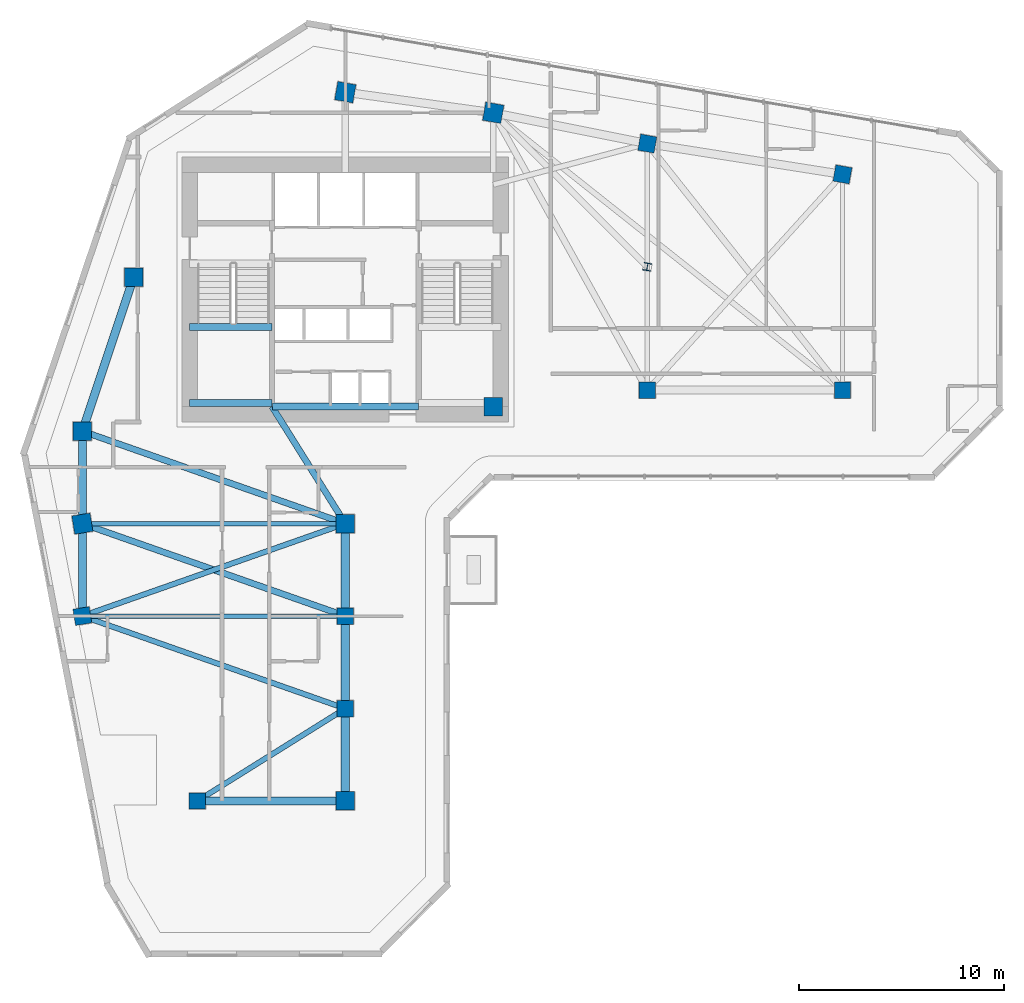
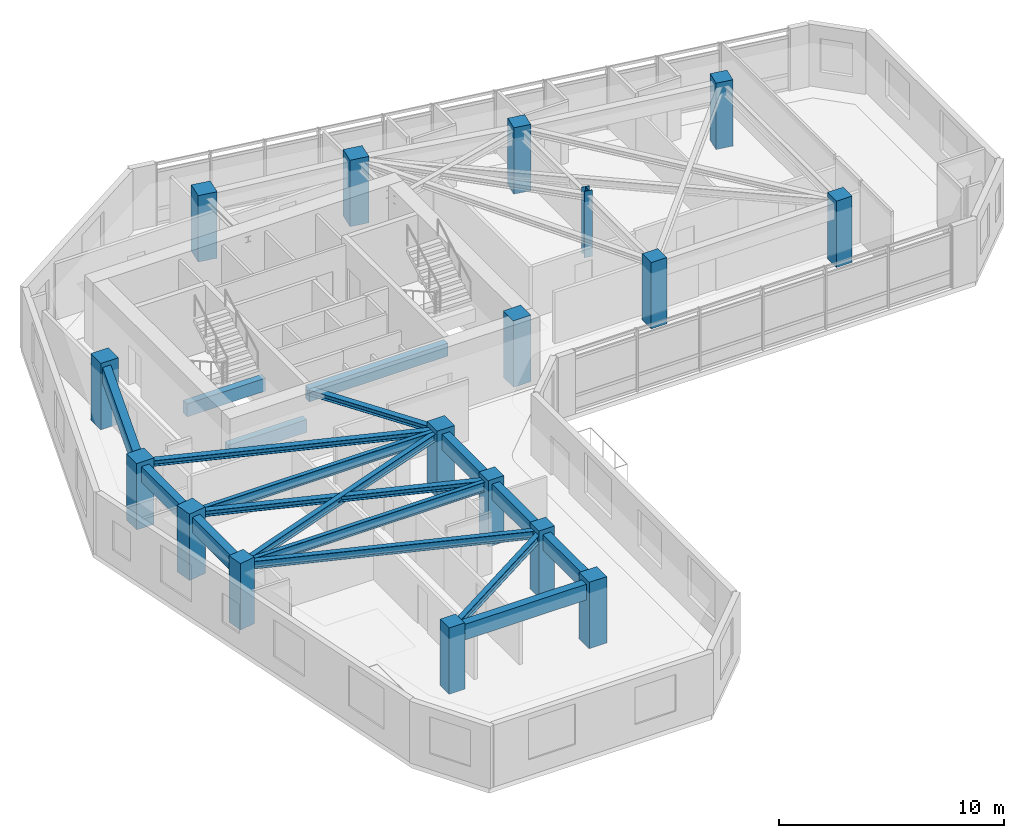
# One storey, part 1 of 10: 18 beams, 17 columns.
"""IFC4 building model written with IfcOpenShell, lengths in metres."""

import ifcopenshell
import ifcopenshell.guid

model = None  # the IFC model being written
_history = None  # IfcOwnerHistory: only IFC2X3 demands one
_inside = {}  # id of a spatial element -> (the spatial element, [elements in it])
_under = {}  # id of a project, library or spatial element -> (it, [spatial elements below it])
_declared = {}  # id of a project -> (the project, [libraries it declares])
_typed = {}  # id of a type object -> (the type object, [elements of that type])
_made_of = {}  # id of a material, layer set ... -> (it, [elements and type objects made of it])


def new_model(schema):
    """Start an empty IFC model of exactly this schema.

    Asked for "IFC4X3", IfcOpenShell would pick the latest addendum, in which some entities
    have other attributes; the version numbers below select the first issue.
    IFC2X3 requires an IfcOwnerHistory on every rooted entity: one is made here for all.
    """
    global model, _history
    if schema == "IFC4X3":
        model = ifcopenshell.file(schema_version=(4, 3, 0, 0))
    else:
        model = ifcopenshell.file(schema=schema)
    _inside.clear()
    _under.clear()
    _declared.clear()
    _typed.clear()
    _made_of.clear()
    _history = None
    if model.schema == "IFC2X3":
        org = make("IfcOrganization", Name="unknown")
        user = make(
            "IfcPersonAndOrganization",
            ThePerson=make("IfcPerson", FamilyName="unknown"),
            TheOrganization=org,
        )
        app = make(
            "IfcApplication",
            ApplicationDeveloper=org,
            Version="unknown",
            ApplicationFullName="unknown",
            ApplicationIdentifier="unknown",
        )
        _history = make(
            "IfcOwnerHistory",
            OwningUser=user,
            OwningApplication=app,
            ChangeAction="ADDED",
            CreationDate=0,
        )
    return model


def make(cls, **values):
    """One entity of the class cls with the attributes given. An attribute that is None is left unset."""
    return model.create_entity(
        cls, **{name: value for name, value in values.items() if value is not None}
    )


def rooted(cls, **values):
    """An entity with a GlobalId (a new one), such as an element, a storey or a relation."""
    return make(cls, GlobalId=ifcopenshell.guid.new(), OwnerHistory=_history, **values)


def si_unit(unit_type, name, prefix=None):
    """IfcSIUnit, for example si_unit("LENGTHUNIT", "METRE", prefix="MILLI")."""
    return make("IfcSIUnit", UnitType=unit_type, Prefix=prefix, Name=name)


def assignment(units):
    """IfcUnitAssignment: the units of a project."""
    return None if units is None else make("IfcUnitAssignment", Units=units)


def point(xyz):
    """IfcCartesianPoint."""
    return None if xyz is None else make("IfcCartesianPoint", Coordinates=xyz)


def direction(xyz):
    """IfcDirection."""
    return None if xyz is None else make("IfcDirection", DirectionRatios=xyz)


def frame(location, z_axis=None, x_axis=None):
    """IfcAxis2Placement3D, a coordinate frame: its origin and axes. An axis left out is left unset."""
    return make(
        "IfcAxis2Placement3D",
        Location=point(location),
        Axis=direction(z_axis),
        RefDirection=direction(x_axis),
    )


def frame_2d(location, x_axis=None):
    """IfcAxis2Placement2D, a coordinate frame in the plane: its origin and x axis."""
    return make(
        "IfcAxis2Placement2D", Location=point(location), RefDirection=direction(x_axis)
    )


def origin():
    """The frame at (0, 0, 0) with its axes left unset."""
    return frame((0.0, 0.0, 0.0))


def origin_2d():
    """The frame at (0, 0) in the plane with its x axis left unset."""
    return frame_2d((0.0, 0.0))


def place(relative_to, where):
    """IfcLocalPlacement: puts the frame where relative to a parent placement (None: the world)."""
    return make(
        "IfcLocalPlacement", PlacementRelTo=relative_to, RelativePlacement=where
    )


def context(
    kind, dimensions, precision=None, world=None, true_north=None, identifier=None
):
    """IfcGeometricRepresentationContext, for example the 3D "Model" context."""
    return make(
        "IfcGeometricRepresentationContext",
        ContextIdentifier=identifier,
        ContextType=kind,
        CoordinateSpaceDimension=dimensions,
        Precision=precision,
        WorldCoordinateSystem=world,
        TrueNorth=true_north,
    )


def subcontext(parent, identifier, kind, view, scale=None):
    """IfcGeometricRepresentationSubContext, for example "Body" below "Model"."""
    return make(
        "IfcGeometricRepresentationSubContext",
        ContextIdentifier=identifier,
        ContextType=kind,
        ParentContext=parent,
        TargetScale=scale,
        TargetView=view,
    )


def project(units=None, contexts=None):
    """IfcProject with its units and contexts."""
    return rooted(
        "IfcProject",
        Name="project",
        RepresentationContexts=contexts,
        UnitsInContext=assignment(units),
    )


def spatial(cls, under=None, at=None, **own):
    """A site, building, storey or space (cls), placed at a placement, below another one or the project."""
    s = rooted(cls, ObjectPlacement=at, **own)
    if under is not None:
        _under.setdefault(under.id(), (under, []))[1].append(s)
    return s


def profile(cls, at=None, kind="AREA", **sizes):
    """A parametric profile (cls). Its sizes go by their IFC names, for example OverallWidth=200.0."""
    return make(cls, ProfileType=kind, Position=at, **sizes)


def rectangle(**sizes):
    """IfcRectangleProfileDef."""
    return profile("IfcRectangleProfileDef", **sizes)


def i_section(**sizes):
    """IfcIShapeProfileDef."""
    return profile("IfcIShapeProfileDef", **sizes)


def extrude(swept, where, along, depth):
    """IfcExtrudedAreaSolid: the profile swept, set in the frame where, extruded along a direction by depth."""
    return make(
        "IfcExtrudedAreaSolid",
        SweptArea=swept,
        Position=where,
        ExtrudedDirection=direction(along),
        Depth=depth,
    )


def shape(context_of_items, identifier, shape_type, items):
    """IfcShapeRepresentation: the items that make up one representation, for example the "Body"."""
    return make(
        "IfcShapeRepresentation",
        ContextOfItems=context_of_items,
        RepresentationIdentifier=identifier,
        RepresentationType=shape_type,
        Items=items,
    )


def source(mapping_origin, context_of_items, identifier, shape_type, items):
    """IfcRepresentationMap: a shape defined once, which mapped items show again and again."""
    return make(
        "IfcRepresentationMap",
        MappingOrigin=mapping_origin,
        MappedRepresentation=shape(context_of_items, identifier, shape_type, items),
    )


def transform(
    local_origin,
    x_axis=None,
    y_axis=None,
    z_axis=None,
    scale=None,
    scale2=None,
    scale3=None,
    uniform=True,
):
    """IfcCartesianTransformationOperator3D, or its non-uniform kind. x_axis, y_axis, z_axis: its Axis1, 2, 3."""
    if uniform:
        return make(
            "IfcCartesianTransformationOperator3D",
            Axis1=direction(x_axis),
            Axis2=direction(y_axis),
            LocalOrigin=point(local_origin),
            Scale=scale,
            Axis3=direction(z_axis),
        )
    return make(
        "IfcCartesianTransformationOperator3DnonUniform",
        Axis1=direction(x_axis),
        Axis2=direction(y_axis),
        LocalOrigin=point(local_origin),
        Scale=scale,
        Axis3=direction(z_axis),
        Scale2=scale2,
        Scale3=scale3,
    )


def mapped(mapping_source, mapping_target):
    """IfcMappedItem: shows the shape of a source again, moved by a transform."""
    return make(
        "IfcMappedItem", MappingSource=mapping_source, MappingTarget=mapping_target
    )


def material(Name=None, Category=None):
    """IfcMaterial."""
    return make("IfcMaterial", Name=Name, Category=Category)


def material_profile(
    of_material, cross_section, Name=None, Category=None, Priority=None
):
    """IfcMaterialProfile: a cross section and its material."""
    return make(
        "IfcMaterialProfile",
        Name=Name,
        Material=of_material,
        Profile=cross_section,
        Priority=Priority,
        Category=Category,
    )


def profile_set(profiles, Name=None, composite=None):
    """IfcMaterialProfileSet."""
    return make(
        "IfcMaterialProfileSet",
        Name=Name,
        MaterialProfiles=profiles,
        CompositeProfile=composite,
    )


def made_of(thing, what):
    """Note that an element or type object is made of a material, layer set ...; save() writes the relation."""
    if what is not None:
        _made_of.setdefault(what.id(), (what, []))[1].append(thing)
    return thing


def type_object(cls, material=None, **own):
    """A type object (cls), such as IfcWallType, which elements share."""
    return made_of(rooted(cls, **own), material)


def element(
    cls,
    number,
    at=None,
    inside=None,
    cuts=None,
    type_object=None,
    material=None,
    context=None,
    identifier="Body",
    shape_type=None,
    held_by="IfcProductDefinitionShape",
    body=None,
    shapes=None,
    **own,
):
    """One element of the class cls, such as IfcWall. Its Tag is "e" and its number.

    at: its placement. inside: the storey or other place that contains it. cuts: it is an
    opening in that element (IfcRelVoidsElement). A single representation is given by context,
    identifier, shape_type and body (its items); several are given by shapes. held_by: the class
    of the entity that holds the representations. save() writes the other relations.
    """
    e = rooted(cls, Tag="e%d" % number, ObjectPlacement=at, **own)
    if body is not None:
        shapes = [shape(context, identifier, shape_type, body)]
    if shapes is not None:
        e.Representation = make(held_by, Representations=shapes)
    if inside is not None:
        _inside.setdefault(inside.id(), (inside, []))[1].append(e)
    if cuts is not None:
        rooted(
            "IfcRelVoidsElement", RelatingBuildingElement=cuts, RelatedOpeningElement=e
        )
    if type_object is not None:
        _typed.setdefault(type_object.id(), (type_object, []))[1].append(e)
    return made_of(e, material)


def aggregate(whole, parts):
    """IfcRelAggregates: a whole, such as a stair, and the parts it consists of."""
    return rooted("IfcRelAggregates", RelatingObject=whole, RelatedObjects=parts)


def save(model, path):
    """Write the relations noted so far, then the file.

    IfcRelAggregates (storeys below a building ...), IfcRelContainedInSpatialStructure (elements
    in a storey), IfcRelDefinesByType, IfcRelAssociatesMaterial and IfcRelDeclares: one each for
    every whole, place, type object, material and project.
    """
    for whole, parts in _under.values():
        aggregate(whole, parts)
    for where, things in _inside.values():
        rooted(
            "IfcRelContainedInSpatialStructure",
            RelatedElements=things,
            RelatingStructure=where,
        )
    for kind, things in _typed.values():
        rooted("IfcRelDefinesByType", RelatedObjects=things, RelatingType=kind)
    for what, things in _made_of.values():
        rooted("IfcRelAssociatesMaterial", RelatedObjects=things, RelatingMaterial=what)
    for by, libraries in _declared.values():
        rooted("IfcRelDeclares", RelatingContext=by, RelatedDefinitions=libraries)
    model.write(path)


model = new_model("IFC4")

# Units and contexts
model_context = context("Model", 3, precision=1e-05, world=origin(), true_north=direction((0.0, 1.0)))
body_context = subcontext(model_context, "Body", "Model", "MODEL_VIEW")
ifc_project = project(units=[si_unit("LENGTHUNIT", "METRE"), si_unit("AREAUNIT", "SQUARE_METRE"), si_unit("VOLUMEUNIT", "CUBIC_METRE"), si_unit("PLANEANGLEUNIT", "RADIAN"), si_unit("MASSUNIT", "GRAM", prefix="KILO")], contexts=[model_context])

# Site, building, storey
site_placement = place(None, origin())
site = spatial("IfcSite", under=ifc_project, at=site_placement, CompositionType="ELEMENT")
building_placement = place(site_placement, origin())
building = spatial("IfcBuilding", under=site, at=building_placement, Name="Calvemar Wedge Station Tower", CompositionType="ELEMENT")
storey_placement = place(building_placement, frame((0.0, 0.0, 110.60009765625)))
storey = spatial("IfcBuildingStorey", under=building, at=storey_placement, Name="L26", CompositionType="ELEMENT", Elevation=110.60009765625)

# Columns
ifc_material_1 = material(Name="Concrete C60", Category="concrete")
ifc_material_profile_1 = material_profile(ifc_material_1, rectangle(XDim=0.89990234375, YDim=0.89990234375, at=origin_2d()), Name="RC900x900")
ifc_profile_set_1 = profile_set([ifc_material_profile_1], Name="Concrete C60")
column_type_1 = type_object("IfcColumnType", Name="COL-C5-900", PredefinedType="COLUMN", material=ifc_profile_set_1)
shared_shape_1 = source(origin(), body_context, "Body", "SweptSolid", [
    extrude(rectangle(XDim=0.89990234375, YDim=0.89990234375, at=origin_2d()), origin(), (0.0, 0.0, 1.0), 3.599853515625),
])
for number, where, z_axis, x_axis, name in (
    (1, (11.0, 33.0, 0.0), (0.0, 0.0, 1.0), (1.0, 0.0, 0.0), "Storey L26 Column T-NW1"),
    (2, (13.5, 40.5, 0.0), (0.0, 0.0, 1.0), (1.0, 0.0, 0.0), "Storey L26 Column T-NW2"),
    (3, (23.800048828125, 49.5, 0.0), (0.0, 0.0, 1.0), (0.984195607969, -0.17708474032, 0.0), "Storey L26 Column T-N1"),
    (4, (31.0, 48.5, 0.0), (0.0, 0.0, 1.0), (0.984195607969, -0.17708474032, 0.0), "Storey L26 Column T-N2"),
    (5, (31.0, 34.199951171875, 0.0), (0.0, 0.0, 1.0), (1.0, 0.0, 0.0), "Storey L26 Column T-NL1"),
    (6, (11.0, 28.5, 0.0), (0.0, 0.0, 1.0), (0.158158067254, -0.987413806751, 0.0), "Storey L26 Column T-SW1"),
    (7, (23.800048828125, 28.5, 0.0), (0.0, 0.0, 1.0), (1.0, 0.0, 0.0), "Storey L26 Column T-SE1"),
    (8, (23.800048828125, 15.0, 0.0), (0.0, 0.0, 1.0), (1.0, 0.0, 0.0), "Storey L26 Column T-SE4"),
):
    element("IfcColumn", number, at=place(storey_placement, frame(where, z_axis=z_axis, x_axis=x_axis)), inside=storey, type_object=column_type_1, Name=name, PredefinedType="COLUMN", context=body_context, shape_type="MappedRepresentation", body=[
        mapped(shared_shape_1, transform((0.0, 0.0, 0.0), scale=1.0)),
    ])
ifc_material_2 = material(Name="Concrete C50", Category="concrete")
ifc_material_profile_2 = material_profile(ifc_material_2, rectangle(XDim=0.800048828125, YDim=0.800048828125, at=origin_2d()), Name="RC800x800")
ifc_profile_set_2 = profile_set([ifc_material_profile_2], Name="Concrete C50")
column_type_2 = type_object("IfcColumnType", Name="COL-C6-800", PredefinedType="COLUMN", material=ifc_profile_set_2)
shared_shape_2 = source(origin(), body_context, "Body", "SweptSolid", [
    extrude(rectangle(XDim=0.800048828125, YDim=0.800048828125, at=origin_2d()), origin(), (0.0, 0.0, 1.0), 3.599853515625),
])
for number, where, z_axis, x_axis, name in (
    (9, (38.5, 47.0, 0.0), (0.0, 0.0, 1.0), (0.984195607969, -0.17708474032, 0.0), "Storey L26 Column T-NU3"),
    (10, (48.0, 45.5, 0.0), (0.0, 0.0, 1.0), (0.984195607969, -0.17708474032, 0.0), "Storey L26 Column T-NU4"),
    (11, (38.5, 35.0, 0.0), (0.0, 0.0, 1.0), (1.0, 0.0, 0.0), "Storey L26 Column T-NL2"),
    (12, (48.0, 35.0, 0.0), (0.0, 0.0, 1.0), (1.0, 0.0, 0.0), "Storey L26 Column T-NL3"),
    (13, (11.0, 24.0, 0.0), (0.0, 0.0, 1.0), (0.158158067254, -0.987413806751, 0.0), "Storey L26 Column T-SW2"),
    (14, (23.800048828125, 24.0, 0.0), (0.0, 0.0, 1.0), (1.0, 0.0, 0.0), "Storey L26 Column T-SE2"),
    (15, (23.800048828125, 19.5, 0.0), (0.0, 0.0, 1.0), (1.0, 0.0, 0.0), "Storey L26 Column T-SE3"),
    (16, (16.60009765625, 15.0, 0.0), (0.0, 0.0, 1.0), (1.0, 0.0, 0.0), "Storey L26 Column T-SM1"),
):
    element("IfcColumn", number, at=place(storey_placement, frame(where, z_axis=z_axis, x_axis=x_axis)), inside=storey, type_object=column_type_2, Name=name, PredefinedType="COLUMN", context=body_context, shape_type="MappedRepresentation", body=[
        mapped(shared_shape_2, transform((0.0, 0.0, 0.0), scale=1.0)),
    ])
ifc_material_3 = material(Name="Structural steel ASTM A572 Grade 50", Category="steel")
ifc_material_profile_3 = material_profile(ifc_material_3, i_section(OverallWidth=0.3740234375, OverallDepth=0.3720703125, WebThickness=0.016357421875, FlangeThickness=0.026123046875, FilletRadius=0.014892578125, at=origin_2d()), Name="W360x196")
ifc_profile_set_3 = profile_set([ifc_material_profile_3], Name="Structural steel ASTM A572 Grade 50")
column_type_3 = type_object("IfcColumnType", Name="COL-STL-W360", PredefinedType="COLUMN", material=ifc_profile_set_3)
shared_shape_3 = source(origin(), body_context, "Body", "SweptSolid", [
    extrude(i_section(OverallWidth=0.3740234375, OverallDepth=0.3720703125, WebThickness=0.016357421875, FlangeThickness=0.026123046875, FilletRadius=0.014892578125, at=origin_2d()), origin(), (0.0, 0.0, 1.0), 3.599853515625),
])
column_placement = place(storey_placement, frame((38.5, 41.0, 0.0), z_axis=(0.0, 0.0, 1.0), x_axis=(0.984195607969, -0.17708474032, 0.0)))
element("IfcColumn", 17, at=column_placement, inside=storey, type_object=column_type_3, Name="Storey L26 Column T-NTIP-B", PredefinedType="COLUMN", context=body_context, shape_type="MappedRepresentation", body=[
    mapped(shared_shape_3, transform((0.0, 0.0, 0.0), scale=1.0)),
])

# Beams
ifc_material_profile_4 = material_profile(ifc_material_1, rectangle(XDim=0.39990234375, YDim=0.85009765625, at=origin_2d()), Name="RC400x850")
ifc_profile_set_4 = profile_set([ifc_material_profile_4], Name="Concrete C60")
beam_type_1 = type_object("IfcBeamType", Name="BM-SP1-850", PredefinedType="SPANDREL", material=ifc_profile_set_4)
shared_shape_4 = source(origin(), body_context, "Body", "SweptSolid", [
    extrude(rectangle(XDim=0.39990234375, YDim=0.85009765625, at=origin_2d()), origin(), (0.0, 0.0, 1.0), 7.90576171875),
])
beam_1_placement = place(storey_placement, frame((11.0, 33.0, 2.9248046875), z_axis=(0.316227766017, 0.948683298051, 0.0), x_axis=(-0.948683298051, 0.316227766017, 0.0)))
element("IfcBeam", 18, at=beam_1_placement, inside=storey, type_object=beam_type_1, Name="Storey L26 Spandrel T-NW1-T-NW2", PredefinedType="SPANDREL", context=body_context, shape_type="MappedRepresentation", body=[
    mapped(shared_shape_4, transform((0.0, 0.0, 0.0), scale=1.0)),
])
shared_shape_5 = source(origin(), body_context, "Body", "SweptSolid", [
    extrude(rectangle(XDim=0.39990234375, YDim=0.85009765625, at=origin_2d()), origin(), (0.0, 0.0, 1.0), 4.5),
])
for number, where, z_axis, x_axis, name in (
    (19, (11.0, 33.0, 2.9248046875), (0.0, -1.0, 0.0), (1.0, 0.0, 0.0), "Storey L26 Spandrel T-NW1-T-SW1"),
    (20, (11.0, 28.5, 2.9248046875), (0.0, -1.0, 0.0), (1.0, 0.0, 0.0), "Storey L26 Spandrel T-SW1-T-SW2"),
    (21, (23.800048828125, 28.5, 2.9248046875), (0.0, -1.0, 0.0), (1.0, 0.0, 0.0), "Storey L26 Spandrel T-SE1-T-SE2"),
    (22, (23.800048828125, 24.0, 2.9248046875), (0.0, -1.0, 0.0), (1.0, 0.0, 0.0), "Storey L26 Spandrel T-SE2-T-SE3"),
    (23, (23.800048828125, 19.5, 2.9248046875), (0.0, -1.0, 0.0), (1.0, 0.0, 0.0), "Storey L26 Spandrel T-SE3-T-SE4"),
):
    element("IfcBeam", number, at=place(storey_placement, frame(where, z_axis=z_axis, x_axis=x_axis)), inside=storey, type_object=beam_type_1, Name=name, PredefinedType="SPANDREL", context=body_context, shape_type="MappedRepresentation", body=[
        mapped(shared_shape_5, transform((0.0, 0.0, 0.0), scale=1.0)),
    ])
shared_shape_6 = source(origin(), body_context, "Body", "SweptSolid", [
    extrude(rectangle(XDim=0.39990234375, YDim=0.85009765625, at=origin_2d()), origin(), (0.0, 0.0, 1.0), 7.199951171875),
])
beam_2_placement = place(storey_placement, frame((16.60009765625, 15.0, 2.9248046875), z_axis=(1.0, 0.0, 0.0), x_axis=(0.0, 1.0, 0.0)))
element("IfcBeam", 24, at=beam_2_placement, inside=storey, type_object=beam_type_1, Name="Storey L26 Spandrel T-SM1-T-SE4", PredefinedType="SPANDREL", context=body_context, shape_type="MappedRepresentation", body=[
    mapped(shared_shape_6, transform((0.0, 0.0, 0.0), scale=1.0)),
])
ifc_material_4 = material(Name="Concrete C70", Category="concrete")
ifc_material_profile_5 = material_profile(ifc_material_4, rectangle(XDim=0.35009765625, YDim=0.699951171875, at=origin_2d()), Name="RC350x700")
ifc_profile_set_5 = profile_set([ifc_material_profile_5], Name="Concrete C70")
beam_type_2 = type_object("IfcBeamType", Name="BM-LN1-700", PredefinedType="LINTEL", material=ifc_profile_set_5)
shared_shape_7 = source(origin(), body_context, "Body", "SweptSolid", [
    extrude(rectangle(XDim=0.35009765625, YDim=0.699951171875, at=origin_2d()), origin(), (0.0, 0.0, 1.0), 7.10009765625),
])
beam_3_placement = place(storey_placement, frame((20.25, 34.199951171875, 3.0), z_axis=(1.0, 0.0, 0.0), x_axis=(0.0, 1.0, 0.0)))
element("IfcBeam", 25, at=beam_3_placement, inside=storey, type_object=beam_type_2, Name="Storey L26 Core Coupling Lintel South", PredefinedType="LINTEL", context=body_context, shape_type="MappedRepresentation", body=[
    mapped(shared_shape_7, transform((0.0, 0.0, 0.0), scale=1.0)),
])
ifc_material_profile_6 = material_profile(ifc_material_3, i_section(OverallWidth=0.304931640625, OverallDepth=0.30810546875, WebThickness=0.010009765625, FlangeThickness=0.015380859375, FilletRadius=0.014892578125, at=origin_2d()), Name="W310x97")
ifc_profile_set_6 = profile_set([ifc_material_profile_6], Name="Structural steel ASTM A572 Grade 50")
beam_type_3 = type_object("IfcBeamType", Name="BM-J6-W310", PredefinedType="JOIST", material=ifc_profile_set_6)
shared_shape_8 = source(origin(), body_context, "Body", "SweptSolid", [
    extrude(i_section(OverallWidth=0.304931640625, OverallDepth=0.30810546875, WebThickness=0.010009765625, FlangeThickness=0.015380859375, FilletRadius=0.014892578125, at=origin_2d()), origin(), (0.0, 0.0, 1.0), 13.568115234375),
])
for number, where, z_axis, x_axis, name in (
    (26, (11.0, 33.0, 3.19580078125), (0.943398221169, -0.331662171939, 0.0), (0.331662171939, 0.943398221169, 0.0), "Storey L26 Floor Beam T-NW1-T-SE1"),
    (27, (11.0, 28.5, 3.19580078125), (0.943398221169, -0.331662171939, 0.0), (0.331662171939, 0.943398221169, 0.0), "Storey L26 Floor Beam T-SW1-T-SE2"),
):
    element("IfcBeam", number, at=place(storey_placement, frame(where, z_axis=z_axis, x_axis=x_axis)), inside=storey, type_object=beam_type_3, Name=name, PredefinedType="JOIST", context=body_context, shape_type="MappedRepresentation", body=[
        mapped(shared_shape_8, transform((0.0, 0.0, 0.0), scale=1.0)),
    ])
ifc_material_profile_7 = material_profile(ifc_material_3, i_section(OverallWidth=0.260986328125, OverallDepth=0.419921875, WebThickness=0.01171875, FlangeThickness=0.019287109375, FilletRadius=0.012939453125, at=origin_2d()), Name="W410x114")
ifc_profile_set_7 = profile_set([ifc_material_profile_7], Name="Structural steel ASTM A572 Grade 50")
beam_type_4 = type_object("IfcBeamType", Name="BM-J2-W410H", PredefinedType="JOIST", material=ifc_profile_set_7)
shared_shape_9 = source(origin(), body_context, "Body", "SweptSolid", [
    extrude(i_section(OverallWidth=0.260986328125, OverallDepth=0.419921875, WebThickness=0.01171875, FlangeThickness=0.019287109375, FilletRadius=0.012939453125, at=origin_2d()), origin(), (0.0, 0.0, 1.0), 13.568115234375),
])
for number, where, z_axis, x_axis, name in (
    (28, (23.800048828125, 28.5, 3.139892578125), (-0.943398221169, -0.331662171939, 0.0), (0.331662171939, -0.943398221169, 0.0), "Storey L26 Floor Beam T-SE1-T-SW2"),
    (29, (11.0, 24.0, 3.139892578125), (0.943398221169, -0.331662171939, 0.0), (0.331662171939, 0.943398221169, 0.0), "Storey L26 Floor Beam T-SW2-T-SE3"),
):
    element("IfcBeam", number, at=place(storey_placement, frame(where, z_axis=z_axis, x_axis=x_axis)), inside=storey, type_object=beam_type_4, Name=name, PredefinedType="JOIST", context=body_context, shape_type="MappedRepresentation", body=[
        mapped(shared_shape_9, transform((0.0, 0.0, 0.0), scale=1.0)),
    ])
shared_shape_10 = source(origin(), body_context, "Body", "SweptSolid", [
    extrude(i_section(OverallWidth=0.260986328125, OverallDepth=0.419921875, WebThickness=0.01171875, FlangeThickness=0.019287109375, FilletRadius=0.012939453125, at=origin_2d()), origin(), (0.0, 0.0, 1.0), 8.490478515625),
])
beam_4_placement = place(storey_placement, frame((23.800048828125, 19.5, 3.139892578125), z_axis=(-0.847996688584, -0.530001524668, 0.0), x_axis=(0.530001524668, -0.847996688584, 0.0)))
element("IfcBeam", 30, at=beam_4_placement, inside=storey, type_object=beam_type_4, Name="Storey L26 Floor Beam T-SE3-T-SM1", PredefinedType="JOIST", context=body_context, shape_type="MappedRepresentation", body=[
    mapped(shared_shape_10, transform((0.0, 0.0, 0.0), scale=1.0)),
])
shared_shape_11 = source(origin(), body_context, "Body", "SweptSolid", [
    extrude(i_section(OverallWidth=0.304931640625, OverallDepth=0.30810546875, WebThickness=0.010009765625, FlangeThickness=0.015380859375, FilletRadius=0.014892578125, at=origin_2d()), origin(), (0.0, 0.0, 1.0), 6.7255859375),
])
beam_5_placement = place(storey_placement, frame((20.22998046875, 34.199951171875, 3.19580078125), z_axis=(0.530811158438, -0.847490126242, 0.0), x_axis=(0.847490126242, 0.530811158438, 0.0)))
element("IfcBeam", 31, at=beam_5_placement, inside=storey, type_object=beam_type_3, Name="Storey L26 Core-to-Column Joist CJ-S2", PredefinedType="JOIST", context=body_context, shape_type="MappedRepresentation", body=[
    mapped(shared_shape_11, transform((0.0, 0.0, 0.0), scale=1.0)),
])
shared_shape_12 = source(origin(), body_context, "Body", "SweptSolid", [
    extrude(rectangle(XDim=0.35009765625, YDim=0.699951171875, at=origin_2d()), origin(), (0.0, 0.0, 1.0), 4.0048828125),
])
for number, where, z_axis, x_axis, name in (
    (32, (16.22509765625, 34.3798828125, 1.25), (1.0, 0.0, 0.0), (0.0, 1.0, 0.0), "Storey L26 Stair ST-C1 Half-Landing Beam 1A"),
    (33, (16.22509765625, 38.070068359375, 1.25), (1.0, 0.0, 0.0), (0.0, 1.0, 0.0), "Storey L26 Stair ST-C1 Half-Landing Beam 1B"),
):
    element("IfcBeam", number, at=place(storey_placement, frame(where, z_axis=z_axis, x_axis=x_axis)), inside=storey, type_object=beam_type_2, Name=name, PredefinedType="LINTEL", context=body_context, shape_type="MappedRepresentation", body=[
        mapped(shared_shape_12, transform((0.0, 0.0, 0.0), scale=1.0)),
    ])
ifc_material_profile_8 = material_profile(ifc_material_3, i_section(OverallWidth=0.2109375, OverallDepth=0.5390625, WebThickness=0.01171875, FlangeThickness=0.018798828125, FilletRadius=0.012939453125, at=origin_2d()), Name="W530x109")
ifc_profile_set_8 = profile_set([ifc_material_profile_8], Name="Structural steel ASTM A572 Grade 50")
beam_type_5 = type_object("IfcBeamType", Name="BM-SB4-W530", PredefinedType="BEAM", material=ifc_profile_set_8)
shared_shape_13 = source(origin(), body_context, "Body", "SweptSolid", [
    extrude(i_section(OverallWidth=0.2109375, OverallDepth=0.5390625, WebThickness=0.01171875, FlangeThickness=0.018798828125, FilletRadius=0.012939453125, at=origin_2d()), origin(), (0.0, 0.0, 1.0), 12.800048828125),
])
for number, where, z_axis, x_axis, name in (
    (34, (11.0, 28.5, 3.080322265625), (1.0, 0.0, 0.0), (0.0, 1.0, 0.0), "Storey L26 Floor Beam T-SW1-T-SE1"),
    (35, (11.0, 24.0, 3.080322265625), (1.0, 0.0, 0.0), (0.0, 1.0, 0.0), "Storey L26 Floor Beam T-SW2-T-SE2"),
):
    element("IfcBeam", number, at=place(storey_placement, frame(where, z_axis=z_axis, x_axis=x_axis)), inside=storey, type_object=beam_type_5, Name=name, PredefinedType="BEAM", context=body_context, shape_type="MappedRepresentation", body=[
        mapped(shared_shape_13, transform((0.0, 0.0, 0.0), scale=1.0)),
    ])

save(model, "model.ifc")
